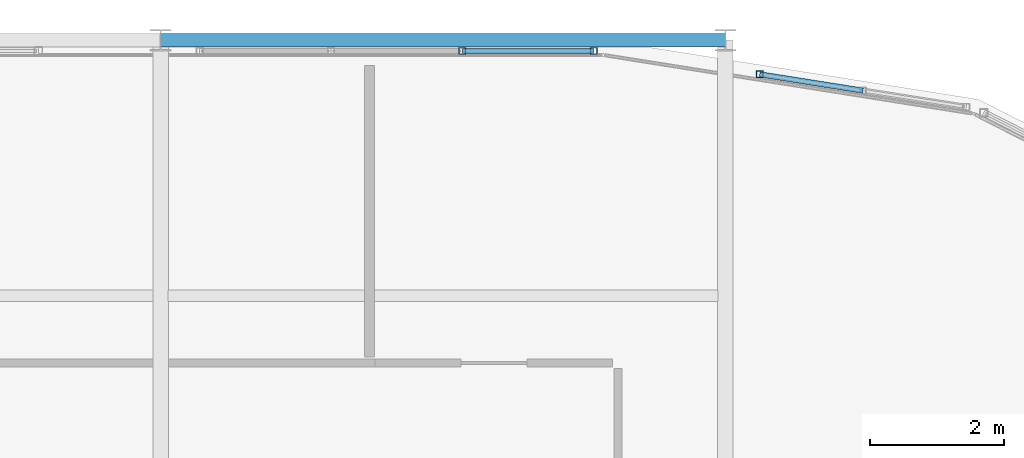
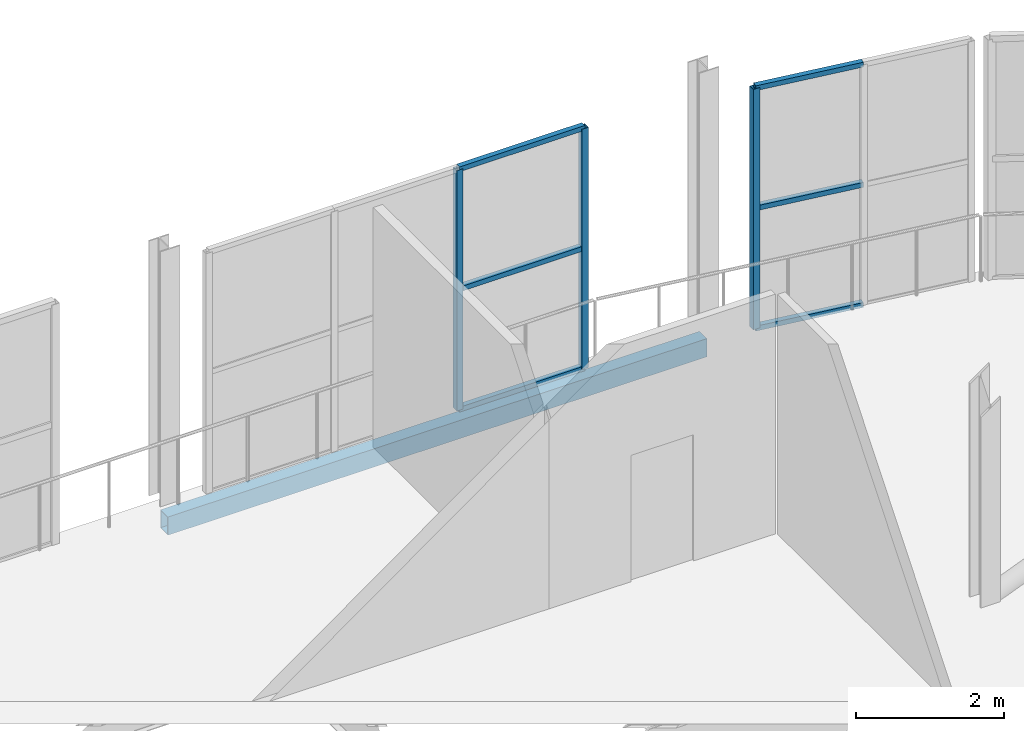
# One storey, part 108 of 151: 9 members, 1 beam, 2 elements without a shape of their own.
"""IFC4 building model written with IfcOpenShell, lengths in metres."""

import ifcopenshell
import ifcopenshell.guid

model = None  # the IFC model being written
_history = None  # IfcOwnerHistory: only IFC2X3 demands one
_inside = {}  # id of a spatial element -> (the spatial element, [elements in it])
_under = {}  # id of a project, library or spatial element -> (it, [spatial elements below it])
_declared = {}  # id of a project -> (the project, [libraries it declares])
_typed = {}  # id of a type object -> (the type object, [elements of that type])
_made_of = {}  # id of a material, layer set ... -> (it, [elements and type objects made of it])


def new_model(schema):
    """Start an empty IFC model of exactly this schema.

    Asked for "IFC4X3", IfcOpenShell would pick the latest addendum, in which some entities
    have other attributes; the version numbers below select the first issue.
    IFC2X3 requires an IfcOwnerHistory on every rooted entity: one is made here for all.
    """
    global model, _history
    if schema == "IFC4X3":
        model = ifcopenshell.file(schema_version=(4, 3, 0, 0))
    else:
        model = ifcopenshell.file(schema=schema)
    _inside.clear()
    _under.clear()
    _declared.clear()
    _typed.clear()
    _made_of.clear()
    _history = None
    if model.schema == "IFC2X3":
        org = make("IfcOrganization", Name="unknown")
        user = make(
            "IfcPersonAndOrganization",
            ThePerson=make("IfcPerson", FamilyName="unknown"),
            TheOrganization=org,
        )
        app = make(
            "IfcApplication",
            ApplicationDeveloper=org,
            Version="unknown",
            ApplicationFullName="unknown",
            ApplicationIdentifier="unknown",
        )
        _history = make(
            "IfcOwnerHistory",
            OwningUser=user,
            OwningApplication=app,
            ChangeAction="ADDED",
            CreationDate=0,
        )
    return model


def make(cls, **values):
    """One entity of the class cls with the attributes given. An attribute that is None is left unset."""
    return model.create_entity(
        cls, **{name: value for name, value in values.items() if value is not None}
    )


def rooted(cls, **values):
    """An entity with a GlobalId (a new one), such as an element, a storey or a relation."""
    return make(cls, GlobalId=ifcopenshell.guid.new(), OwnerHistory=_history, **values)


def si_unit(unit_type, name, prefix=None):
    """IfcSIUnit, for example si_unit("LENGTHUNIT", "METRE", prefix="MILLI")."""
    return make("IfcSIUnit", UnitType=unit_type, Prefix=prefix, Name=name)


def assignment(units):
    """IfcUnitAssignment: the units of a project."""
    return None if units is None else make("IfcUnitAssignment", Units=units)


def point(xyz):
    """IfcCartesianPoint."""
    return None if xyz is None else make("IfcCartesianPoint", Coordinates=xyz)


def direction(xyz):
    """IfcDirection."""
    return None if xyz is None else make("IfcDirection", DirectionRatios=xyz)


def frame(location, z_axis=None, x_axis=None):
    """IfcAxis2Placement3D, a coordinate frame: its origin and axes. An axis left out is left unset."""
    return make(
        "IfcAxis2Placement3D",
        Location=point(location),
        Axis=direction(z_axis),
        RefDirection=direction(x_axis),
    )


def frame_2d(location, x_axis=None):
    """IfcAxis2Placement2D, a coordinate frame in the plane: its origin and x axis."""
    return make(
        "IfcAxis2Placement2D", Location=point(location), RefDirection=direction(x_axis)
    )


def origin():
    """The frame at (0, 0, 0) with its axes left unset."""
    return frame((0.0, 0.0, 0.0))


def origin_2d():
    """The frame at (0, 0) in the plane with its x axis left unset."""
    return frame_2d((0.0, 0.0))


def place(relative_to, where):
    """IfcLocalPlacement: puts the frame where relative to a parent placement (None: the world)."""
    return make(
        "IfcLocalPlacement", PlacementRelTo=relative_to, RelativePlacement=where
    )


def context(
    kind, dimensions, precision=None, world=None, true_north=None, identifier=None
):
    """IfcGeometricRepresentationContext, for example the 3D "Model" context."""
    return make(
        "IfcGeometricRepresentationContext",
        ContextIdentifier=identifier,
        ContextType=kind,
        CoordinateSpaceDimension=dimensions,
        Precision=precision,
        WorldCoordinateSystem=world,
        TrueNorth=true_north,
    )


def subcontext(parent, identifier, kind, view, scale=None):
    """IfcGeometricRepresentationSubContext, for example "Body" below "Model"."""
    return make(
        "IfcGeometricRepresentationSubContext",
        ContextIdentifier=identifier,
        ContextType=kind,
        ParentContext=parent,
        TargetScale=scale,
        TargetView=view,
    )


def project(units=None, contexts=None):
    """IfcProject with its units and contexts."""
    return rooted(
        "IfcProject",
        Name="project",
        RepresentationContexts=contexts,
        UnitsInContext=assignment(units),
    )


def spatial(cls, under=None, at=None, **own):
    """A site, building, storey or space (cls), placed at a placement, below another one or the project."""
    s = rooted(cls, ObjectPlacement=at, **own)
    if under is not None:
        _under.setdefault(under.id(), (under, []))[1].append(s)
    return s


def profile(cls, at=None, kind="AREA", **sizes):
    """A parametric profile (cls). Its sizes go by their IFC names, for example OverallWidth=200.0."""
    return make(cls, ProfileType=kind, Position=at, **sizes)


def hollow_rectangle(**sizes):
    """IfcRectangleHollowProfileDef."""
    return profile("IfcRectangleHollowProfileDef", **sizes)


def extrude(swept, where, along, depth):
    """IfcExtrudedAreaSolid: the profile swept, set in the frame where, extruded along a direction by depth."""
    return make(
        "IfcExtrudedAreaSolid",
        SweptArea=swept,
        Position=where,
        ExtrudedDirection=direction(along),
        Depth=depth,
    )


def shape(context_of_items, identifier, shape_type, items):
    """IfcShapeRepresentation: the items that make up one representation, for example the "Body"."""
    return make(
        "IfcShapeRepresentation",
        ContextOfItems=context_of_items,
        RepresentationIdentifier=identifier,
        RepresentationType=shape_type,
        Items=items,
    )


def material(Name=None, Category=None):
    """IfcMaterial."""
    return make("IfcMaterial", Name=Name, Category=Category)


def material_profile(
    of_material, cross_section, Name=None, Category=None, Priority=None
):
    """IfcMaterialProfile: a cross section and its material."""
    return make(
        "IfcMaterialProfile",
        Name=Name,
        Material=of_material,
        Profile=cross_section,
        Priority=Priority,
        Category=Category,
    )


def profile_set(profiles, Name=None, composite=None):
    """IfcMaterialProfileSet."""
    return make(
        "IfcMaterialProfileSet",
        Name=Name,
        MaterialProfiles=profiles,
        CompositeProfile=composite,
    )


def made_of(thing, what):
    """Note that an element or type object is made of a material, layer set ...; save() writes the relation."""
    if what is not None:
        _made_of.setdefault(what.id(), (what, []))[1].append(thing)
    return thing


def type_object(cls, material=None, **own):
    """A type object (cls), such as IfcWallType, which elements share."""
    return made_of(rooted(cls, **own), material)


def element(
    cls,
    number,
    at=None,
    inside=None,
    cuts=None,
    type_object=None,
    material=None,
    context=None,
    identifier="Body",
    shape_type=None,
    held_by="IfcProductDefinitionShape",
    body=None,
    shapes=None,
    **own,
):
    """One element of the class cls, such as IfcWall. Its Tag is "e" and its number.

    at: its placement. inside: the storey or other place that contains it. cuts: it is an
    opening in that element (IfcRelVoidsElement). A single representation is given by context,
    identifier, shape_type and body (its items); several are given by shapes. held_by: the class
    of the entity that holds the representations. save() writes the other relations.
    """
    e = rooted(cls, Tag="e%d" % number, ObjectPlacement=at, **own)
    if body is not None:
        shapes = [shape(context, identifier, shape_type, body)]
    if shapes is not None:
        e.Representation = make(held_by, Representations=shapes)
    if inside is not None:
        _inside.setdefault(inside.id(), (inside, []))[1].append(e)
    if cuts is not None:
        rooted(
            "IfcRelVoidsElement", RelatingBuildingElement=cuts, RelatedOpeningElement=e
        )
    if type_object is not None:
        _typed.setdefault(type_object.id(), (type_object, []))[1].append(e)
    return made_of(e, material)


def aggregate(whole, parts):
    """IfcRelAggregates: a whole, such as a stair, and the parts it consists of."""
    return rooted("IfcRelAggregates", RelatingObject=whole, RelatedObjects=parts)


def save(model, path):
    """Write the relations noted so far, then the file.

    IfcRelAggregates (storeys below a building ...), IfcRelContainedInSpatialStructure (elements
    in a storey), IfcRelDefinesByType, IfcRelAssociatesMaterial and IfcRelDeclares: one each for
    every whole, place, type object, material and project.
    """
    for whole, parts in _under.values():
        aggregate(whole, parts)
    for where, things in _inside.values():
        rooted(
            "IfcRelContainedInSpatialStructure",
            RelatedElements=things,
            RelatingStructure=where,
        )
    for kind, things in _typed.values():
        rooted("IfcRelDefinesByType", RelatedObjects=things, RelatingType=kind)
    for what, things in _made_of.values():
        rooted("IfcRelAssociatesMaterial", RelatedObjects=things, RelatingMaterial=what)
    for by, libraries in _declared.values():
        rooted("IfcRelDeclares", RelatingContext=by, RelatedDefinitions=libraries)
    model.write(path)


model = new_model("IFC4")

# Units and contexts
model_context = context("Model", 3, precision=1e-05, world=origin(), true_north=direction((0.0, 1.0)))
body_context = subcontext(model_context, "Body", "Model", "MODEL_VIEW")
ifc_project = project(units=[si_unit("LENGTHUNIT", "METRE"), si_unit("AREAUNIT", "SQUARE_METRE"), si_unit("VOLUMEUNIT", "CUBIC_METRE"), si_unit("PLANEANGLEUNIT", "RADIAN"), si_unit("MASSUNIT", "GRAM", prefix="KILO")], contexts=[model_context])

# Site, building, storey
site_placement = place(None, origin())
site = spatial("IfcSite", under=ifc_project, at=site_placement, CompositionType="ELEMENT")
building_placement = place(site_placement, origin())
building = spatial("IfcBuilding", under=site, at=building_placement, Name="Zuvorla Pavilion Media Centre", CompositionType="ELEMENT")
storey_placement = place(building_placement, frame((0.0, 0.0, 13.800048828125)))
storey = spatial("IfcBuildingStorey", under=building, at=storey_placement, Name="L03", CompositionType="ELEMENT", Elevation=13.800048828125)

# Beam
ifc_material_1 = material(Name="Steel S355", Category="steel")
ifc_material_profile_1 = material_profile(ifc_material_1, hollow_rectangle(XDim=0.199951171875, YDim=0.300048828125, WallThickness=0.012451171875, at=origin_2d()), Name="RHS 300x200x12.5")
ifc_profile_set_1 = profile_set([ifc_material_profile_1], Name="Steel S355")
beam_type = type_object("IfcBeamType", Name="BM-SP-RHS300", PredefinedType="SPANDREL", material=ifc_profile_set_1)
beam_placement = place(storey_placement, frame((150.800048828125, 89.60009765625, -0.407958984375), z_axis=(1.0, 0.0, 0.0), x_axis=(0.0, 1.0, 0.0)))
element("IfcBeam", 1, at=beam_placement, inside=storey, type_object=beam_type, Name="L03 spandrel SP01 1146", PredefinedType="SPANDREL", context=body_context, shape_type="SweptSolid", body=[
    extrude(hollow_rectangle(XDim=0.199951171875, YDim=0.300048828125, WallThickness=0.012451171875, at=origin_2d()), origin(), (0.0, 0.0, 1.0), 8.39990234375),
])

# Curtain wall, member
ifc_material_2 = material(Name="Unitised anodised aluminium and solar glass curtain wall", Category="aluminium")
curtain_wall_type_1 = type_object("IfcCurtainWallType", Name="CW-SYS-60", PredefinedType="USERDEFINED", material=ifc_material_2)
curtain_wall_1_placement = place(storey_placement, origin())
curtain_wall_1 = element("IfcCurtainWall", 2, at=curtain_wall_1_placement, inside=storey, type_object=curtain_wall_type_1, Name="L03 curtain wall CW60 105", ObjectType="CURTAIN WALL", PredefinedType="USERDEFINED")
ifc_material_3 = material(Name="Anodised aluminium 6063-T6", Category="aluminium")
ifc_material_profile_2 = material_profile(ifc_material_3, hollow_rectangle(XDim=0.10009765625, YDim=0.10009765625, WallThickness=0.00439453125, at=origin_2d()), Name="ALU MULL 100x100")
ifc_profile_set_2 = profile_set([ifc_material_profile_2], Name="Anodised aluminium 6063-T6")
member_type_1 = type_object("IfcMemberType", Name="CW-MULL-100", PredefinedType="MULLION", material=ifc_profile_set_2)
member_1_placement = place(storey_placement, frame((159.708740234375, 89.092529296875, 0.0), z_axis=(0.0, 0.0, 1.0), x_axis=(1.0, 0.0, 0.0)))
member_1 = element("IfcMember", 3, at=member_1_placement, type_object=member_type_1, Name="CW60 mullion 3", PredefinedType="MULLION", context=body_context, shape_type="SweptSolid", body=[
    extrude(hollow_rectangle(XDim=0.10009765625, YDim=0.10009765625, WallThickness=0.00439453125, at=origin_2d()), origin(), (0.0, 0.0, 1.0), 3.9599609375),
])

# Curtain wall, members
curtain_wall_type_2 = type_object("IfcCurtainWallType", Name="CW-SYS-19", PredefinedType="USERDEFINED", material=ifc_material_2)
curtain_wall_2_placement = place(storey_placement, origin())
curtain_wall_2 = element("IfcCurtainWall", 4, at=curtain_wall_2_placement, inside=storey, type_object=curtain_wall_type_2, Name="L03 curtain wall CW19 106", ObjectType="CURTAIN WALL", PredefinedType="USERDEFINED")
member_2_placement = place(storey_placement, frame((157.239990234375, 89.43994140625, 0.0), z_axis=(0.0, 0.0, 1.0), x_axis=(1.0, 0.0, 0.0)))
member_2 = element("IfcMember", 5, at=member_2_placement, type_object=member_type_1, Name="CW19 mullion 1", PredefinedType="MULLION", context=body_context, shape_type="SweptSolid", body=[
    extrude(hollow_rectangle(XDim=0.10009765625, YDim=0.10009765625, WallThickness=0.00439453125, at=origin_2d()), origin(), (0.0, 0.0, 1.0), 3.9599609375),
])
member_3_placement = place(storey_placement, frame((155.287353515625, 89.43994140625, 0.0), z_axis=(0.0, 0.0, 1.0), x_axis=(1.0, 0.0, 0.0)))
member_3 = element("IfcMember", 6, at=member_3_placement, type_object=member_type_1, Name="CW19 mullion 2", PredefinedType="MULLION", context=body_context, shape_type="SweptSolid", body=[
    extrude(hollow_rectangle(XDim=0.10009765625, YDim=0.10009765625, WallThickness=0.00439453125, at=origin_2d()), origin(), (0.0, 0.0, 1.0), 3.9599609375),
])

# Member
ifc_material_profile_3 = material_profile(ifc_material_3, hollow_rectangle(XDim=0.080078125, YDim=0.080078125, WallThickness=0.00390625, at=origin_2d()), Name="ALU TRAN 80x80")
ifc_profile_set_3 = profile_set([ifc_material_profile_3], Name="Anodised aluminium 6063-T6")
member_type_2 = type_object("IfcMemberType", Name="CW-TRAN-80", PredefinedType="USERDEFINED", material=ifc_profile_set_3)
member_4_placement = place(storey_placement, frame((161.24560546875, 88.84912109375, 0.0), z_axis=(-0.987689069115, 0.156429865275, 0.0), x_axis=(-0.156429865275, -0.987689069115, 0.0)))
member_4 = element("IfcMember", 7, at=member_4_placement, type_object=member_type_2, Name="CW60 transom 2.1", ObjectType="TRANSOM", PredefinedType="USERDEFINED", context=body_context, shape_type="SweptSolid", body=[
    extrude(hollow_rectangle(XDim=0.080078125, YDim=0.080078125, WallThickness=0.00390625, at=origin_2d()), origin(), (0.0, 0.0, 1.0), 1.555908203125),
])

member_5_placement = place(storey_placement, frame((161.24560546875, 88.84912109375, 1.97998046875), z_axis=(-0.987689069115, 0.156429865275, 0.0), x_axis=(-0.156429865275, -0.987689069115, 0.0)))
member_5 = element("IfcMember", 8, at=member_5_placement, type_object=member_type_2, Name="CW60 transom 2.2", ObjectType="TRANSOM", PredefinedType="USERDEFINED", context=body_context, shape_type="SweptSolid", body=[
    extrude(hollow_rectangle(XDim=0.080078125, YDim=0.080078125, WallThickness=0.00390625, at=origin_2d()), origin(), (0.0, 0.0, 1.0), 1.555908203125),
])

member_6_placement = place(storey_placement, frame((161.24560546875, 88.84912109375, 3.9599609375), z_axis=(-0.987689069115, 0.156429865275, 0.0), x_axis=(-0.156429865275, -0.987689069115, 0.0)))
member_6 = element("IfcMember", 9, at=member_6_placement, type_object=member_type_2, Name="CW60 transom 2.3", ObjectType="TRANSOM", PredefinedType="USERDEFINED", context=body_context, shape_type="SweptSolid", body=[
    extrude(hollow_rectangle(XDim=0.080078125, YDim=0.080078125, WallThickness=0.00390625, at=origin_2d()), origin(), (0.0, 0.0, 1.0), 1.555908203125),
])

aggregate(curtain_wall_1, [member_1, member_4, member_5, member_6])

member_7_placement = place(storey_placement, frame((157.239990234375, 89.43994140625, 0.0), z_axis=(-1.0, 0.0, 0.0), x_axis=(0.0, -1.0, 0.0)))
member_7 = element("IfcMember", 10, at=member_7_placement, type_object=member_type_2, Name="CW19 transom 1.1", ObjectType="TRANSOM", PredefinedType="USERDEFINED", context=body_context, shape_type="SweptSolid", body=[
    extrude(hollow_rectangle(XDim=0.080078125, YDim=0.080078125, WallThickness=0.00390625, at=origin_2d()), origin(), (0.0, 0.0, 1.0), 1.95263671875),
])

member_8_placement = place(storey_placement, frame((157.239990234375, 89.43994140625, 1.97998046875), z_axis=(-1.0, 0.0, 0.0), x_axis=(0.0, -1.0, 0.0)))
member_8 = element("IfcMember", 11, at=member_8_placement, type_object=member_type_2, Name="CW19 transom 1.2", ObjectType="TRANSOM", PredefinedType="USERDEFINED", context=body_context, shape_type="SweptSolid", body=[
    extrude(hollow_rectangle(XDim=0.080078125, YDim=0.080078125, WallThickness=0.00390625, at=origin_2d()), origin(), (0.0, 0.0, 1.0), 1.95263671875),
])

member_9_placement = place(storey_placement, frame((157.239990234375, 89.43994140625, 3.9599609375), z_axis=(-1.0, 0.0, 0.0), x_axis=(0.0, -1.0, 0.0)))
member_9 = element("IfcMember", 12, at=member_9_placement, type_object=member_type_2, Name="CW19 transom 1.3", ObjectType="TRANSOM", PredefinedType="USERDEFINED", context=body_context, shape_type="SweptSolid", body=[
    extrude(hollow_rectangle(XDim=0.080078125, YDim=0.080078125, WallThickness=0.00390625, at=origin_2d()), origin(), (0.0, 0.0, 1.0), 1.95263671875),
])

aggregate(curtain_wall_2, [member_2, member_3, member_7, member_8, member_9])

save(model, "model.ifc")
